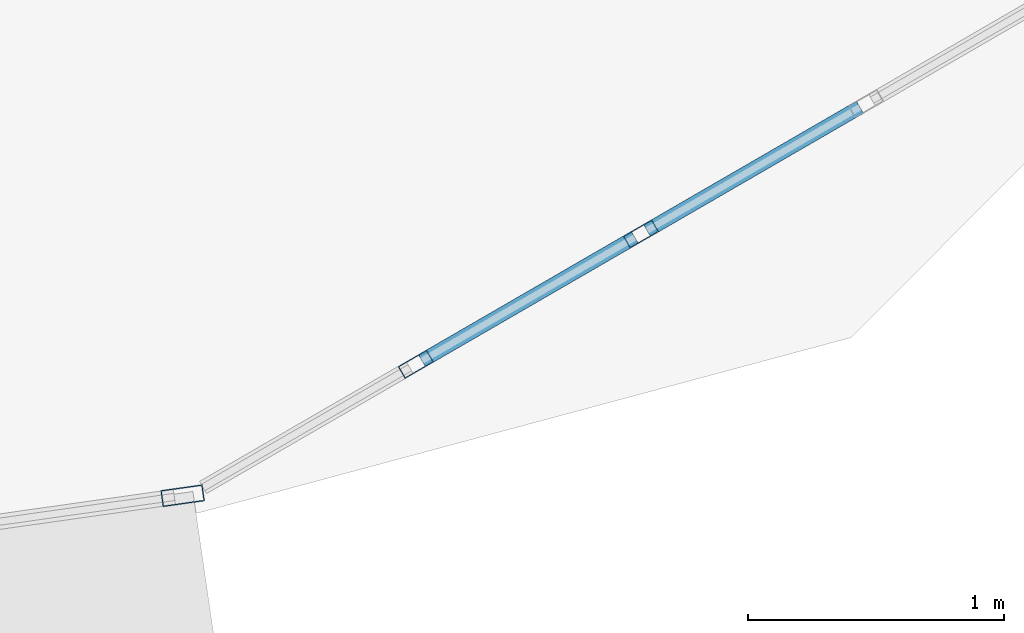
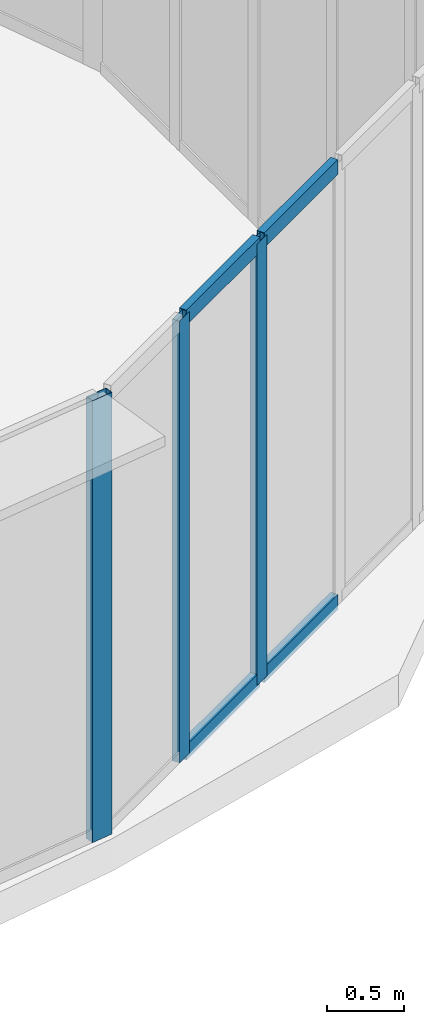
# One storey, part 22 of 41: 7 members, 2 elements without a shape of their own.
"""IFC4 building model written with IfcOpenShell, lengths in metres."""

import ifcopenshell
import ifcopenshell.guid

model = None  # the IFC model being written
_history = None  # IfcOwnerHistory: only IFC2X3 demands one
_inside = {}  # id of a spatial element -> (the spatial element, [elements in it])
_under = {}  # id of a project, library or spatial element -> (it, [spatial elements below it])
_declared = {}  # id of a project -> (the project, [libraries it declares])
_typed = {}  # id of a type object -> (the type object, [elements of that type])
_made_of = {}  # id of a material, layer set ... -> (it, [elements and type objects made of it])


def new_model(schema):
    """Start an empty IFC model of exactly this schema.

    Asked for "IFC4X3", IfcOpenShell would pick the latest addendum, in which some entities
    have other attributes; the version numbers below select the first issue.
    IFC2X3 requires an IfcOwnerHistory on every rooted entity: one is made here for all.
    """
    global model, _history
    if schema == "IFC4X3":
        model = ifcopenshell.file(schema_version=(4, 3, 0, 0))
    else:
        model = ifcopenshell.file(schema=schema)
    _inside.clear()
    _under.clear()
    _declared.clear()
    _typed.clear()
    _made_of.clear()
    _history = None
    if model.schema == "IFC2X3":
        org = make("IfcOrganization", Name="unknown")
        user = make(
            "IfcPersonAndOrganization",
            ThePerson=make("IfcPerson", FamilyName="unknown"),
            TheOrganization=org,
        )
        app = make(
            "IfcApplication",
            ApplicationDeveloper=org,
            Version="unknown",
            ApplicationFullName="unknown",
            ApplicationIdentifier="unknown",
        )
        _history = make(
            "IfcOwnerHistory",
            OwningUser=user,
            OwningApplication=app,
            ChangeAction="ADDED",
            CreationDate=0,
        )
    return model


def make(cls, **values):
    """One entity of the class cls with the attributes given. An attribute that is None is left unset."""
    return model.create_entity(
        cls, **{name: value for name, value in values.items() if value is not None}
    )


def rooted(cls, **values):
    """An entity with a GlobalId (a new one), such as an element, a storey or a relation."""
    return make(cls, GlobalId=ifcopenshell.guid.new(), OwnerHistory=_history, **values)


def si_unit(unit_type, name, prefix=None):
    """IfcSIUnit, for example si_unit("LENGTHUNIT", "METRE", prefix="MILLI")."""
    return make("IfcSIUnit", UnitType=unit_type, Prefix=prefix, Name=name)


def assignment(units):
    """IfcUnitAssignment: the units of a project."""
    return None if units is None else make("IfcUnitAssignment", Units=units)


def point(xyz):
    """IfcCartesianPoint."""
    return None if xyz is None else make("IfcCartesianPoint", Coordinates=xyz)


def direction(xyz):
    """IfcDirection."""
    return None if xyz is None else make("IfcDirection", DirectionRatios=xyz)


def frame(location, z_axis=None, x_axis=None):
    """IfcAxis2Placement3D, a coordinate frame: its origin and axes. An axis left out is left unset."""
    return make(
        "IfcAxis2Placement3D",
        Location=point(location),
        Axis=direction(z_axis),
        RefDirection=direction(x_axis),
    )


def frame_2d(location, x_axis=None):
    """IfcAxis2Placement2D, a coordinate frame in the plane: its origin and x axis."""
    return make(
        "IfcAxis2Placement2D", Location=point(location), RefDirection=direction(x_axis)
    )


def origin():
    """The frame at (0, 0, 0) with its axes left unset."""
    return frame((0.0, 0.0, 0.0))


def origin_2d():
    """The frame at (0, 0) in the plane with its x axis left unset."""
    return frame_2d((0.0, 0.0))


def place(relative_to, where):
    """IfcLocalPlacement: puts the frame where relative to a parent placement (None: the world)."""
    return make(
        "IfcLocalPlacement", PlacementRelTo=relative_to, RelativePlacement=where
    )


def context(
    kind, dimensions, precision=None, world=None, true_north=None, identifier=None
):
    """IfcGeometricRepresentationContext, for example the 3D "Model" context."""
    return make(
        "IfcGeometricRepresentationContext",
        ContextIdentifier=identifier,
        ContextType=kind,
        CoordinateSpaceDimension=dimensions,
        Precision=precision,
        WorldCoordinateSystem=world,
        TrueNorth=true_north,
    )


def subcontext(parent, identifier, kind, view, scale=None):
    """IfcGeometricRepresentationSubContext, for example "Body" below "Model"."""
    return make(
        "IfcGeometricRepresentationSubContext",
        ContextIdentifier=identifier,
        ContextType=kind,
        ParentContext=parent,
        TargetScale=scale,
        TargetView=view,
    )


def project(units=None, contexts=None):
    """IfcProject with its units and contexts."""
    return rooted(
        "IfcProject",
        Name="project",
        RepresentationContexts=contexts,
        UnitsInContext=assignment(units),
    )


def spatial(cls, under=None, at=None, **own):
    """A site, building, storey or space (cls), placed at a placement, below another one or the project."""
    s = rooted(cls, ObjectPlacement=at, **own)
    if under is not None:
        _under.setdefault(under.id(), (under, []))[1].append(s)
    return s


def profile(cls, at=None, kind="AREA", **sizes):
    """A parametric profile (cls). Its sizes go by their IFC names, for example OverallWidth=200.0."""
    return make(cls, ProfileType=kind, Position=at, **sizes)


def hollow_rectangle(**sizes):
    """IfcRectangleHollowProfileDef."""
    return profile("IfcRectangleHollowProfileDef", **sizes)


def extrude(swept, where, along, depth):
    """IfcExtrudedAreaSolid: the profile swept, set in the frame where, extruded along a direction by depth."""
    return make(
        "IfcExtrudedAreaSolid",
        SweptArea=swept,
        Position=where,
        ExtrudedDirection=direction(along),
        Depth=depth,
    )


def shape(context_of_items, identifier, shape_type, items):
    """IfcShapeRepresentation: the items that make up one representation, for example the "Body"."""
    return make(
        "IfcShapeRepresentation",
        ContextOfItems=context_of_items,
        RepresentationIdentifier=identifier,
        RepresentationType=shape_type,
        Items=items,
    )


def source(mapping_origin, context_of_items, identifier, shape_type, items):
    """IfcRepresentationMap: a shape defined once, which mapped items show again and again."""
    return make(
        "IfcRepresentationMap",
        MappingOrigin=mapping_origin,
        MappedRepresentation=shape(context_of_items, identifier, shape_type, items),
    )


def transform(
    local_origin,
    x_axis=None,
    y_axis=None,
    z_axis=None,
    scale=None,
    scale2=None,
    scale3=None,
    uniform=True,
):
    """IfcCartesianTransformationOperator3D, or its non-uniform kind. x_axis, y_axis, z_axis: its Axis1, 2, 3."""
    if uniform:
        return make(
            "IfcCartesianTransformationOperator3D",
            Axis1=direction(x_axis),
            Axis2=direction(y_axis),
            LocalOrigin=point(local_origin),
            Scale=scale,
            Axis3=direction(z_axis),
        )
    return make(
        "IfcCartesianTransformationOperator3DnonUniform",
        Axis1=direction(x_axis),
        Axis2=direction(y_axis),
        LocalOrigin=point(local_origin),
        Scale=scale,
        Axis3=direction(z_axis),
        Scale2=scale2,
        Scale3=scale3,
    )


def mapped(mapping_source, mapping_target):
    """IfcMappedItem: shows the shape of a source again, moved by a transform."""
    return make(
        "IfcMappedItem", MappingSource=mapping_source, MappingTarget=mapping_target
    )


def material(Name=None, Category=None):
    """IfcMaterial."""
    return make("IfcMaterial", Name=Name, Category=Category)


def layer(
    of_material, thickness, ventilated=None, Name=None, Category=None, Priority=None
):
    """IfcMaterialLayer: one layer of a wall or slab, of a material (None: an air gap)."""
    return make(
        "IfcMaterialLayer",
        Material=of_material,
        LayerThickness=thickness,
        IsVentilated=ventilated,
        Name=Name,
        Category=Category,
        Priority=Priority,
    )


def layer_set(layers, Name=None):
    """IfcMaterialLayerSet."""
    return make("IfcMaterialLayerSet", MaterialLayers=layers, LayerSetName=Name)


def material_profile(
    of_material, cross_section, Name=None, Category=None, Priority=None
):
    """IfcMaterialProfile: a cross section and its material."""
    return make(
        "IfcMaterialProfile",
        Name=Name,
        Material=of_material,
        Profile=cross_section,
        Priority=Priority,
        Category=Category,
    )


def profile_set(profiles, Name=None, composite=None):
    """IfcMaterialProfileSet."""
    return make(
        "IfcMaterialProfileSet",
        Name=Name,
        MaterialProfiles=profiles,
        CompositeProfile=composite,
    )


def made_of(thing, what):
    """Note that an element or type object is made of a material, layer set ...; save() writes the relation."""
    if what is not None:
        _made_of.setdefault(what.id(), (what, []))[1].append(thing)
    return thing


def type_object(cls, material=None, **own):
    """A type object (cls), such as IfcWallType, which elements share."""
    return made_of(rooted(cls, **own), material)


def element(
    cls,
    number,
    at=None,
    inside=None,
    cuts=None,
    type_object=None,
    material=None,
    context=None,
    identifier="Body",
    shape_type=None,
    held_by="IfcProductDefinitionShape",
    body=None,
    shapes=None,
    **own,
):
    """One element of the class cls, such as IfcWall. Its Tag is "e" and its number.

    at: its placement. inside: the storey or other place that contains it. cuts: it is an
    opening in that element (IfcRelVoidsElement). A single representation is given by context,
    identifier, shape_type and body (its items); several are given by shapes. held_by: the class
    of the entity that holds the representations. save() writes the other relations.
    """
    e = rooted(cls, Tag="e%d" % number, ObjectPlacement=at, **own)
    if body is not None:
        shapes = [shape(context, identifier, shape_type, body)]
    if shapes is not None:
        e.Representation = make(held_by, Representations=shapes)
    if inside is not None:
        _inside.setdefault(inside.id(), (inside, []))[1].append(e)
    if cuts is not None:
        rooted(
            "IfcRelVoidsElement", RelatingBuildingElement=cuts, RelatedOpeningElement=e
        )
    if type_object is not None:
        _typed.setdefault(type_object.id(), (type_object, []))[1].append(e)
    return made_of(e, material)


def aggregate(whole, parts):
    """IfcRelAggregates: a whole, such as a stair, and the parts it consists of."""
    return rooted("IfcRelAggregates", RelatingObject=whole, RelatedObjects=parts)


def save(model, path):
    """Write the relations noted so far, then the file.

    IfcRelAggregates (storeys below a building ...), IfcRelContainedInSpatialStructure (elements
    in a storey), IfcRelDefinesByType, IfcRelAssociatesMaterial and IfcRelDeclares: one each for
    every whole, place, type object, material and project.
    """
    for whole, parts in _under.values():
        aggregate(whole, parts)
    for where, things in _inside.values():
        rooted(
            "IfcRelContainedInSpatialStructure",
            RelatedElements=things,
            RelatingStructure=where,
        )
    for kind, things in _typed.values():
        rooted("IfcRelDefinesByType", RelatedObjects=things, RelatingType=kind)
    for what, things in _made_of.values():
        rooted("IfcRelAssociatesMaterial", RelatedObjects=things, RelatingMaterial=what)
    for by, libraries in _declared.values():
        rooted("IfcRelDeclares", RelatingContext=by, RelatedDefinitions=libraries)
    model.write(path)


model = new_model("IFC4")

# Units and contexts
model_context = context("Model", 3, precision=1e-05, world=origin(), true_north=direction((0.0, 1.0)))
body_context = subcontext(model_context, "Body", "Model", "MODEL_VIEW")
ifc_project = project(units=[si_unit("LENGTHUNIT", "METRE"), si_unit("AREAUNIT", "SQUARE_METRE"), si_unit("VOLUMEUNIT", "CUBIC_METRE"), si_unit("PLANEANGLEUNIT", "RADIAN"), si_unit("MASSUNIT", "GRAM", prefix="KILO"), si_unit("THERMODYNAMICTEMPERATUREUNIT", "KELVIN"), si_unit("POWERUNIT", "WATT")], contexts=[model_context])

# Site, building, storey
site_placement = place(None, origin())
site = spatial("IfcSite", under=ifc_project, at=site_placement, CompositionType="ELEMENT")
building_placement = place(site_placement, origin())
building = spatial("IfcBuilding", under=site, at=building_placement, Name="Yunzhuo Pagoda Commons", CompositionType="ELEMENT")
storey_placement = place(building_placement, frame((0.0, 0.0, 115.3798828125)))
storey = spatial("IfcBuildingStorey", under=building, at=storey_placement, Name="L29", CompositionType="ELEMENT", Elevation=115.3798828125)

# Curtain wall, members
ifc_material = material(Name="Anodized aluminium 6063-T6", Category="aluminium")
ifc_layer_1 = layer(ifc_material, 0.1298828125)
ifc_layer_set_1 = layer_set([ifc_layer_1], Name="Anodized aluminium 6063-T6")
curtain_wall_type_1 = type_object("IfcCurtainWallType", Name="CW-VTX Rounded Corner Curtain Wall", PredefinedType="NOTDEFINED", material=ifc_layer_set_1)
curtain_wall_1_placement = place(storey_placement, origin())
curtain_wall_1 = element("IfcCurtainWall", 1, at=curtain_wall_1_placement, inside=storey, type_object=curtain_wall_type_1, Name="L29 curtain wall CW-L29-VTX2S1", PredefinedType="NOTDEFINED")
ifc_material_profile_1 = material_profile(ifc_material, hollow_rectangle(XDim=0.054931640625, YDim=0.1201171875, WallThickness=0.00341796875, at=origin_2d()), Name="Anodized aluminium 6063-T6")
ifc_profile_set_1 = profile_set([ifc_material_profile_1], Name="Anodized aluminium 6063-T6")
member_type_1 = type_object("IfcMemberType", Name="CW-VTX-T Transom RHS 120x55x3.5", PredefinedType="USERDEFINED", material=ifc_profile_set_1)
shared_shape_1 = source(origin(), body_context, "Body", "SweptSolid", [
    extrude(hollow_rectangle(XDim=0.054931640625, YDim=0.1201171875, WallThickness=0.00341796875, at=origin_2d()), origin(), (0.0, 0.0, 1.0), 0.961669921875),
])
member_1_placement = place(storey_placement, frame((85.5498046875, 16.31787109375, 0.027587890625), z_axis=(0.865385729326, 0.501106315544, 0.0), x_axis=(-0.501106315544, 0.865385729326, 0.0)))
member_1 = element("IfcMember", 2, at=member_1_placement, type_object=member_type_1, Name="CW transom 2.1", ObjectType="TRANSOM", PredefinedType="USERDEFINED", context=body_context, shape_type="MappedRepresentation", body=[
    mapped(shared_shape_1, transform((0.0, 0.0, 0.0), scale=1.0)),
])
member_2_placement = place(storey_placement, frame((85.5498046875, 16.31787109375, 3.49267578125), z_axis=(0.865385729326, 0.501106315544, 0.0), x_axis=(-0.501106315544, 0.865385729326, 0.0)))
member_2 = element("IfcMember", 3, at=member_2_placement, type_object=member_type_1, Name="CW transom 2.2", ObjectType="TRANSOM", PredefinedType="USERDEFINED", context=body_context, shape_type="MappedRepresentation", body=[
    mapped(shared_shape_1, transform((0.0, 0.0, 0.0), scale=1.0)),
])
member_3_placement = place(storey_placement, frame((86.429931640625, 16.8271484375, 0.027587890625), z_axis=(0.865385729326, 0.501106315544, 0.0), x_axis=(-0.501106315544, 0.865385729326, 0.0)))
member_3 = element("IfcMember", 4, at=member_3_placement, type_object=member_type_1, Name="CW transom 3.1", ObjectType="TRANSOM", PredefinedType="USERDEFINED", context=body_context, shape_type="MappedRepresentation", body=[
    mapped(shared_shape_1, transform((0.0, 0.0, 0.0), scale=1.0)),
])
member_4_placement = place(storey_placement, frame((86.429931640625, 16.8271484375, 3.49267578125), z_axis=(0.865385729326, 0.501106315544, 0.0), x_axis=(-0.501106315544, 0.865385729326, 0.0)))
member_4 = element("IfcMember", 5, at=member_4_placement, type_object=member_type_1, Name="CW transom 3.2", ObjectType="TRANSOM", PredefinedType="USERDEFINED", context=body_context, shape_type="MappedRepresentation", body=[
    mapped(shared_shape_1, transform((0.0, 0.0, 0.0), scale=1.0)),
])

# Curtain wall, member
ifc_layer_2 = layer(ifc_material, 0.1650390625)
ifc_layer_set_2 = layer_set([ifc_layer_2], Name="Anodized aluminium 6063-T6")
curtain_wall_type_2 = type_object("IfcCurtainWallType", Name="CW-LOW Low-Zone Ribbon Curtain Wall", PredefinedType="NOTDEFINED", material=ifc_layer_set_2)
curtain_wall_2_placement = place(storey_placement, origin())
curtain_wall_2 = element("IfcCurtainWall", 6, at=curtain_wall_2_placement, inside=storey, type_object=curtain_wall_type_2, Name="L29 curtain wall CW-L29-F1B5", PredefinedType="NOTDEFINED")
ifc_material_profile_2 = material_profile(ifc_material, hollow_rectangle(XDim=0.06494140625, YDim=0.1650390625, WallThickness=0.00390625, at=origin_2d()), Name="Anodized aluminium 6063-T6")
ifc_profile_set_2 = profile_set([ifc_material_profile_2], Name="Anodized aluminium 6063-T6")
member_type_2 = type_object("IfcMemberType", Name="CW-LOW-M Mullion RHS 165x65x4", PredefinedType="MULLION", material=ifc_profile_set_2)
shared_shape_2 = source(origin(), body_context, "Body", "SweptSolid", [
    extrude(hollow_rectangle(XDim=0.06494140625, YDim=0.1650390625, WallThickness=0.00390625, at=origin_2d()), origin(), (0.0, 0.0, 1.0), 3.52001953125),
])
member_5_placement = place(storey_placement, frame((84.614013671875, 15.7900390625, 0.0), z_axis=(0.0, 0.0, 1.0), x_axis=(-0.140408035721, 0.990093724606, 0.0)))
member_5 = element("IfcMember", 7, at=member_5_placement, type_object=member_type_2, Name="CW mullion 2", PredefinedType="MULLION", context=body_context, shape_type="MappedRepresentation", body=[
    mapped(shared_shape_2, transform((0.0, 0.0, 0.0), scale=1.0)),
])
aggregate(curtain_wall_2, [member_5])

# Member
ifc_material_profile_3 = material_profile(ifc_material, hollow_rectangle(XDim=0.054931640625, YDim=0.1298828125, WallThickness=0.00341796875, at=origin_2d()), Name="Anodized aluminium 6063-T6")
ifc_profile_set_3 = profile_set([ifc_material_profile_3], Name="Anodized aluminium 6063-T6")
member_type_3 = type_object("IfcMemberType", Name="CW-VTX-M Mullion RHS 130x55x3.5", PredefinedType="MULLION", material=ifc_profile_set_3)
shared_shape_3 = source(origin(), body_context, "Body", "SweptSolid", [
    extrude(hollow_rectangle(XDim=0.054931640625, YDim=0.1298828125, WallThickness=0.00341796875, at=origin_2d()), origin(), (0.0, 0.0, 1.0), 3.52001953125),
])
member_6_placement = place(storey_placement, frame((85.52587890625, 16.303955078125, 0.0), z_axis=(0.0, 0.0, 1.0), x_axis=(-0.501032393989, 0.865428529789, 0.0)))
member_6 = element("IfcMember", 8, at=member_6_placement, type_object=member_type_3, Name="CW mullion 2", PredefinedType="MULLION", context=body_context, shape_type="MappedRepresentation", body=[
    mapped(shared_shape_3, transform((0.0, 0.0, 0.0), scale=1.0)),
])

member_7_placement = place(storey_placement, frame((86.406005859375, 16.8134765625, 0.0), z_axis=(0.0, 0.0, 1.0), x_axis=(-0.501032393989, 0.865428529789, 0.0)))
member_7 = element("IfcMember", 9, at=member_7_placement, type_object=member_type_3, Name="CW mullion 3", PredefinedType="MULLION", context=body_context, shape_type="MappedRepresentation", body=[
    mapped(shared_shape_3, transform((0.0, 0.0, 0.0), scale=1.0)),
])

aggregate(curtain_wall_1, [member_6, member_7, member_1, member_2, member_3, member_4])

save(model, "model.ifc")
